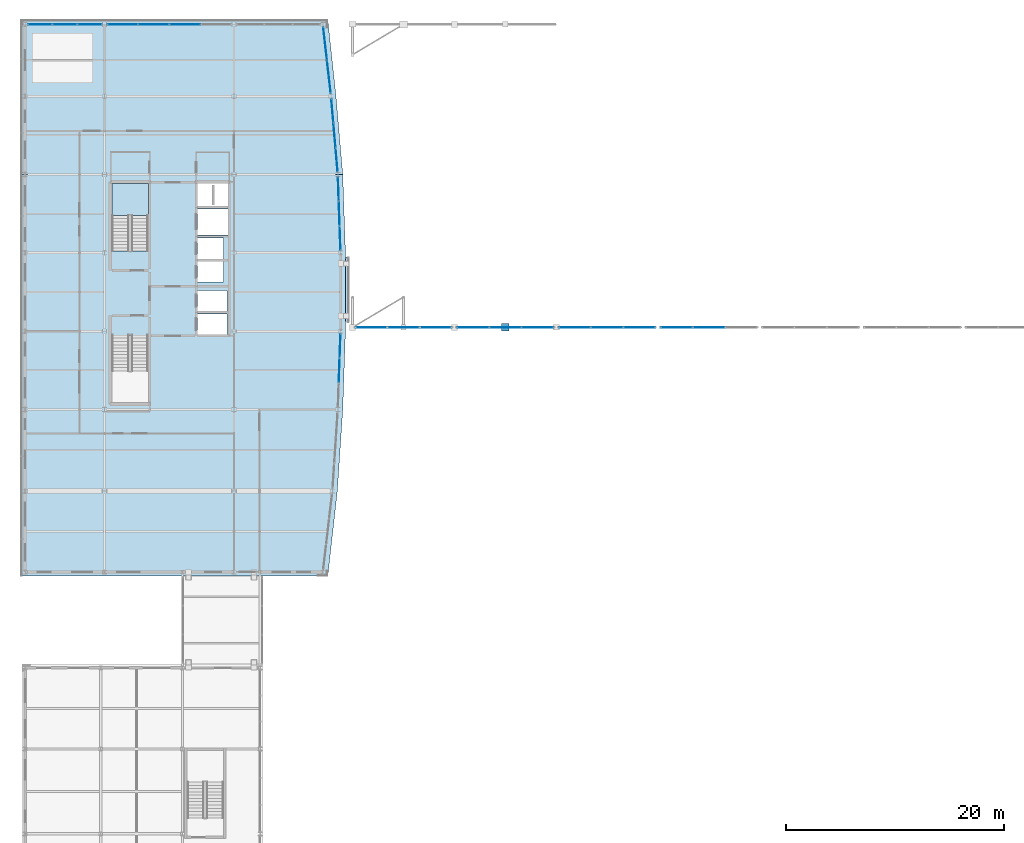
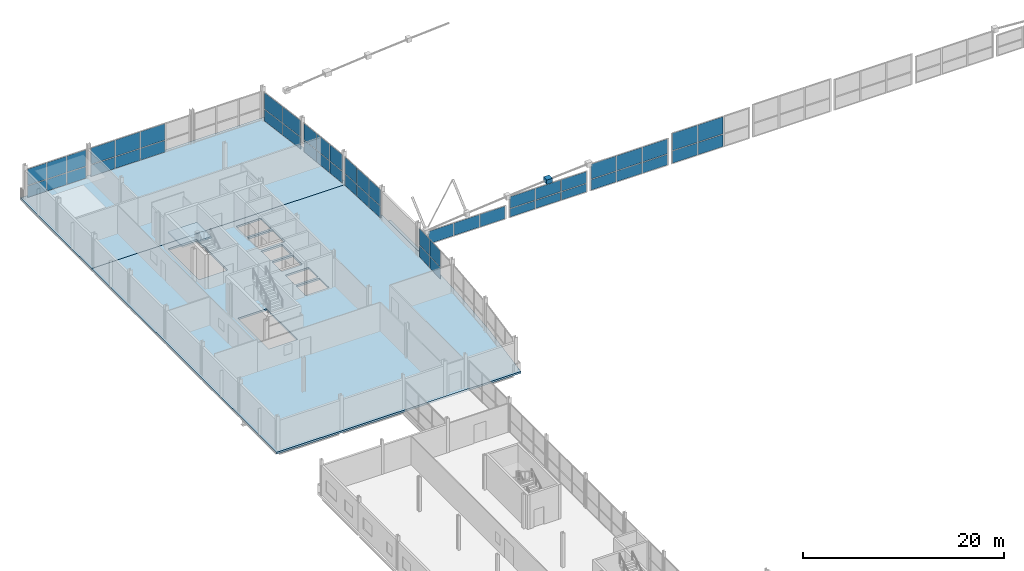
# One storey, part 43 of 60: 52 plates, 4 slabs, 11 elements without a shape of their own.
"""IFC4 building model written with IfcOpenShell, lengths in metres."""

from ifc_helpers import new_model, si_unit, direction, frame, origin, origin_2d, place, context, subcontext, project, spatial, polyline, rectangle, outline, extrude, material, layer, layer_set, type_object, element, aggregate, save


model = new_model("IFC4")

# Units and contexts
model_context = context("Model", 3, precision=1e-05, world=origin(), true_north=direction((0.0, 1.0)))
body_context = subcontext(model_context, "Body", "Model", "MODEL_VIEW")
ifc_project = project(units=[si_unit("LENGTHUNIT", "METRE"), si_unit("AREAUNIT", "SQUARE_METRE"), si_unit("VOLUMEUNIT", "CUBIC_METRE"), si_unit("PLANEANGLEUNIT", "RADIAN"), si_unit("MASSUNIT", "GRAM", prefix="KILO")], contexts=[model_context])

# Site, building, storey
site_placement = place(None, origin())
site = spatial("IfcSite", under=ifc_project, at=site_placement, CompositionType="ELEMENT")
building_placement = place(site_placement, origin())
building = spatial("IfcBuilding", under=site, at=building_placement, Name="Quillay Park Conservatory", CompositionType="ELEMENT")
storey_placement = place(building_placement, frame((0.0, 0.0, 9.89990234375)))
storey = spatial("IfcBuildingStorey", under=building, at=storey_placement, Name="L02", CompositionType="ELEMENT", Elevation=9.89990234375)

# Plate
ifc_material_1 = material(Name="Steel S355J2H", Category="steel")
ifc_layer_1 = layer(ifc_material_1, 0.0439453125)
ifc_layer_set_1 = layer_set([ifc_layer_1], Name="BOLTED GUSSET NODE PLATE GN04 (Steel S355J2H)")
plate_type_1 = type_object("IfcPlateType", Name="BOLTED GUSSET NODE PLATE GN04", PredefinedType="USERDEFINED", material=ifc_layer_set_1)
plate_1_placement = place(storey_placement, frame((44.683349609375, 85.550048828125, 3.508544921875), z_axis=(0.0, 0.0, 1.0), x_axis=(1.0, 0.0, 0.0)))
element("IfcPlate", 1, at=plate_1_placement, inside=storey, type_object=plate_type_1, Name="Conservatory gridshell star node GN04 (3,0)", ObjectType="GUSSET PLATE", PredefinedType="USERDEFINED", context=body_context, shape_type="SweptSolid", body=[
    extrude(rectangle(XDim=0.679931640625, YDim=0.679931640625, at=origin_2d()), origin(), (0.0, 0.0, 1.0), 0.5400390625),
])

# Curtain wall, plates
ifc_material_2 = material(Name="Thermally Broken Anodised Aluminium 6063-T6", Category="aluminium")
ifc_layer_2 = layer(ifc_material_2, 0.179931640625)
ifc_layer_set_2 = layer_set([ifc_layer_2], Name="UNITISED CURTAIN WALL TOWER (Thermally Broken Anodised Aluminium 6063-T6)")
curtain_wall_type_1 = type_object("IfcCurtainWallType", Name="UNITISED CURTAIN WALL TOWER", PredefinedType="USERDEFINED", material=ifc_layer_set_2)
curtain_wall_1_placement = place(storey_placement, origin())
curtain_wall_1 = element("IfcCurtainWall", 2, at=curtain_wall_1_placement, inside=storey, type_object=curtain_wall_type_1, Name="L02 Unitised Curtain Wall 021", ObjectType="UNITISED CURTAIN WALL", PredefinedType="USERDEFINED")
ifc_material_3 = material(Name="Low-E Double Glazing (Laminated Tempered)", Category="glass")
ifc_layer_3 = layer(ifc_material_3, 0.028076171875)
ifc_layer_set_3 = layer_set([ifc_layer_3], Name="CURTAIN WALL GLAZED PANEL 28 (Low-E Double Glazing (Laminated Tempered))")
plate_type_2 = type_object("IfcPlateType", Name="CURTAIN WALL GLAZED PANEL 28", PredefinedType="CURTAIN_PANEL", material=ifc_layer_set_3)
plate_2_placement = place(storey_placement, frame((29.503173828125, 83.849365234375, 0.0703125), z_axis=(0.0, 0.0, 1.0), x_axis=(-0.034713338537, -0.999397310446, 0.0)))
plate_2 = element("IfcPlate", 3, at=plate_2_placement, type_object=plate_type_2, Name="CW-T1 panel 1.1", PredefinedType="CURTAIN_PANEL", context=body_context, shape_type="SweptSolid", body=[
    extrude(rectangle(XDim=2.1630859375, YDim=0.028076171875, at=origin_2d()), origin(), (0.0, 0.0, 1.0), 1.406494140625),
])
plate_3_placement = place(storey_placement, frame((29.503173828125, 83.849365234375, 1.546630859375), z_axis=(0.0, 0.0, 1.0), x_axis=(-0.034713338537, -0.999397310446, 0.0)))
plate_3 = element("IfcPlate", 4, at=plate_3_placement, type_object=plate_type_2, Name="CW-T1 panel 1.2", PredefinedType="CURTAIN_PANEL", context=body_context, shape_type="SweptSolid", body=[
    extrude(rectangle(XDim=2.1630859375, YDim=0.028076171875, at=origin_2d()), origin(), (0.0, 0.0, 1.0), 1.982421875),
])
plate_4_placement = place(storey_placement, frame((29.425048828125, 81.60009765625, 0.0703125), z_axis=(0.0, 0.0, 1.0), x_axis=(-0.034713338537, -0.999397310446, 0.0)))
plate_4 = element("IfcPlate", 5, at=plate_4_placement, type_object=plate_type_2, Name="CW-T1 panel 2.1", PredefinedType="CURTAIN_PANEL", context=body_context, shape_type="SweptSolid", body=[
    extrude(rectangle(XDim=2.197998046875, YDim=0.028076171875, at=origin_2d()), origin(), (0.0, 0.0, 1.0), 1.406494140625),
])
plate_5_placement = place(storey_placement, frame((29.425048828125, 81.60009765625, 1.546630859375), z_axis=(0.0, 0.0, 1.0), x_axis=(-0.034713338537, -0.999397310446, 0.0)))
plate_5 = element("IfcPlate", 6, at=plate_5_placement, type_object=plate_type_2, Name="CW-T1 panel 2.2", PredefinedType="CURTAIN_PANEL", context=body_context, shape_type="SweptSolid", body=[
    extrude(rectangle(XDim=2.197998046875, YDim=0.028076171875, at=origin_2d()), origin(), (0.0, 0.0, 1.0), 1.982421875),
])
aggregate(curtain_wall_1, [plate_2, plate_3, plate_4, plate_5])

curtain_wall_2_placement = place(storey_placement, origin())
curtain_wall_2 = element("IfcCurtainWall", 7, at=curtain_wall_2_placement, inside=storey, type_object=curtain_wall_type_1, Name="L02 Unitised Curtain Wall 022", ObjectType="UNITISED CURTAIN WALL", PredefinedType="USERDEFINED")
plate_6_placement = place(storey_placement, frame((29.346923828125, 98.249267578125, 0.0703125), z_axis=(0.0, 0.0, 1.0), x_axis=(0.034713338537, -0.999397310446, 0.0)))
plate_6 = element("IfcPlate", 8, at=plate_6_placement, type_object=plate_type_2, Name="CW-T1 panel 1.1", PredefinedType="CURTAIN_PANEL", context=body_context, shape_type="SweptSolid", body=[
    extrude(rectangle(XDim=2.1630859375, YDim=0.028076171875, at=origin_2d()), origin(), (0.0, 0.0, 1.0), 1.406494140625),
])
plate_7_placement = place(storey_placement, frame((29.346923828125, 98.249267578125, 1.546630859375), z_axis=(0.0, 0.0, 1.0), x_axis=(0.034713338537, -0.999397310446, 0.0)))
plate_7 = element("IfcPlate", 9, at=plate_7_placement, type_object=plate_type_2, Name="CW-T1 panel 1.2", PredefinedType="CURTAIN_PANEL", context=body_context, shape_type="SweptSolid", body=[
    extrude(rectangle(XDim=2.1630859375, YDim=0.028076171875, at=origin_2d()), origin(), (0.0, 0.0, 1.0), 1.982421875),
])
plate_8_placement = place(storey_placement, frame((29.425048828125, 96.0, 0.0703125), z_axis=(0.0, 0.0, 1.0), x_axis=(0.034713338537, -0.999397310446, 0.0)))
plate_8 = element("IfcPlate", 10, at=plate_8_placement, type_object=plate_type_2, Name="CW-T1 panel 2.1", PredefinedType="CURTAIN_PANEL", context=body_context, shape_type="SweptSolid", body=[
    extrude(rectangle(XDim=2.197998046875, YDim=0.028076171875, at=origin_2d()), origin(), (0.0, 0.0, 1.0), 1.406494140625),
])
plate_9_placement = place(storey_placement, frame((29.425048828125, 96.0, 1.546630859375), z_axis=(0.0, 0.0, 1.0), x_axis=(0.034713338537, -0.999397310446, 0.0)))
plate_9 = element("IfcPlate", 11, at=plate_9_placement, type_object=plate_type_2, Name="CW-T1 panel 2.2", PredefinedType="CURTAIN_PANEL", context=body_context, shape_type="SweptSolid", body=[
    extrude(rectangle(XDim=2.197998046875, YDim=0.028076171875, at=origin_2d()), origin(), (0.0, 0.0, 1.0), 1.982421875),
])
plate_10_placement = place(storey_placement, frame((29.503173828125, 93.750732421875, 0.0703125), z_axis=(0.0, 0.0, 1.0), x_axis=(0.034713338537, -0.999397310446, 0.0)))
plate_10 = element("IfcPlate", 12, at=plate_10_placement, type_object=plate_type_2, Name="CW-T1 panel 3.1", PredefinedType="CURTAIN_PANEL", context=body_context, shape_type="SweptSolid", body=[
    extrude(rectangle(XDim=2.1630859375, YDim=0.028076171875, at=origin_2d()), origin(), (0.0, 0.0, 1.0), 1.406494140625),
])
plate_11_placement = place(storey_placement, frame((29.503173828125, 93.750732421875, 1.546630859375), z_axis=(0.0, 0.0, 1.0), x_axis=(0.034713338537, -0.999397310446, 0.0)))
plate_11 = element("IfcPlate", 13, at=plate_11_placement, type_object=plate_type_2, Name="CW-T1 panel 3.2", PredefinedType="CURTAIN_PANEL", context=body_context, shape_type="SweptSolid", body=[
    extrude(rectangle(XDim=2.1630859375, YDim=0.028076171875, at=origin_2d()), origin(), (0.0, 0.0, 1.0), 1.982421875),
])
aggregate(curtain_wall_2, [plate_6, plate_7, plate_8, plate_9, plate_10, plate_11])

curtain_wall_3_placement = place(storey_placement, origin())
curtain_wall_3 = element("IfcCurtainWall", 14, at=curtain_wall_3_placement, inside=storey, type_object=curtain_wall_type_1, Name="L02 Unitised Curtain Wall 023", ObjectType="UNITISED CURTAIN WALL", PredefinedType="USERDEFINED")
plate_12_placement = place(storey_placement, frame((28.792236328125, 105.44970703125, 0.0703125), z_axis=(0.0, 0.0, 1.0), x_axis=(0.086480444465, -0.996253548413, 0.0)))
plate_12 = element("IfcPlate", 15, at=plate_12_placement, type_object=plate_type_2, Name="CW-T1 panel 1.1", PredefinedType="CURTAIN_PANEL", context=body_context, shape_type="SweptSolid", body=[
    extrude(rectangle(XDim=2.170654296875, YDim=0.028076171875, at=origin_2d()), origin(), (0.0, 0.0, 1.0), 1.406494140625),
])
plate_13_placement = place(storey_placement, frame((28.792236328125, 105.44970703125, 1.546630859375), z_axis=(0.0, 0.0, 1.0), x_axis=(0.086480444465, -0.996253548413, 0.0)))
plate_13 = element("IfcPlate", 16, at=plate_13_placement, type_object=plate_type_2, Name="CW-T1 panel 1.2", PredefinedType="CURTAIN_PANEL", context=body_context, shape_type="SweptSolid", body=[
    extrude(rectangle(XDim=2.170654296875, YDim=0.028076171875, at=origin_2d()), origin(), (0.0, 0.0, 1.0), 1.982421875),
])
plate_14_placement = place(storey_placement, frame((28.987548828125, 103.199951171875, 0.0703125), z_axis=(0.0, 0.0, 1.0), x_axis=(0.086480444465, -0.996253548413, 0.0)))
plate_14 = element("IfcPlate", 17, at=plate_14_placement, type_object=plate_type_2, Name="CW-T1 panel 2.1", PredefinedType="CURTAIN_PANEL", context=body_context, shape_type="SweptSolid", body=[
    extrude(rectangle(XDim=2.20556640625, YDim=0.028076171875, at=origin_2d()), origin(), (0.0, 0.0, 1.0), 1.406494140625),
])
plate_15_placement = place(storey_placement, frame((28.987548828125, 103.199951171875, 1.546630859375), z_axis=(0.0, 0.0, 1.0), x_axis=(0.086480444465, -0.996253548413, 0.0)))
plate_15 = element("IfcPlate", 18, at=plate_15_placement, type_object=plate_type_2, Name="CW-T1 panel 2.2", PredefinedType="CURTAIN_PANEL", context=body_context, shape_type="SweptSolid", body=[
    extrude(rectangle(XDim=2.20556640625, YDim=0.028076171875, at=origin_2d()), origin(), (0.0, 0.0, 1.0), 1.982421875),
])
plate_16_placement = place(storey_placement, frame((29.182861328125, 100.9501953125, 0.0703125), z_axis=(0.0, 0.0, 1.0), x_axis=(0.086480444465, -0.996253548413, 0.0)))
plate_16 = element("IfcPlate", 19, at=plate_16_placement, type_object=plate_type_2, Name="CW-T1 panel 3.1", PredefinedType="CURTAIN_PANEL", context=body_context, shape_type="SweptSolid", body=[
    extrude(rectangle(XDim=2.170654296875, YDim=0.028076171875, at=origin_2d()), origin(), (0.0, 0.0, 1.0), 1.406494140625),
])
plate_17_placement = place(storey_placement, frame((29.182861328125, 100.9501953125, 1.546630859375), z_axis=(0.0, 0.0, 1.0), x_axis=(0.086480444465, -0.996253548413, 0.0)))
plate_17 = element("IfcPlate", 20, at=plate_17_placement, type_object=plate_type_2, Name="CW-T1 panel 3.2", PredefinedType="CURTAIN_PANEL", context=body_context, shape_type="SweptSolid", body=[
    extrude(rectangle(XDim=2.170654296875, YDim=0.028076171875, at=origin_2d()), origin(), (0.0, 0.0, 1.0), 1.982421875),
])
aggregate(curtain_wall_3, [plate_12, plate_13, plate_14, plate_15, plate_16, plate_17])

curtain_wall_4_placement = place(storey_placement, origin())
curtain_wall_4 = element("IfcCurtainWall", 21, at=curtain_wall_4_placement, inside=storey, type_object=curtain_wall_type_1, Name="L02 Unitised Curtain Wall 024", ObjectType="UNITISED CURTAIN WALL", PredefinedType="USERDEFINED")
plate_18_placement = place(storey_placement, frame((28.125732421875, 111.63330078125, 0.0703125), z_axis=(0.0, 0.0, 1.0), x_axis=(0.112903218278, -0.993605989969, 0.0)))
plate_18 = element("IfcPlate", 22, at=plate_18_placement, type_object=plate_type_2, Name="CW-T1 panel 1.1", PredefinedType="CURTAIN_PANEL", context=body_context, shape_type="SweptSolid", body=[
    extrude(rectangle(XDim=3.016357421875, YDim=0.028076171875, at=origin_2d()), origin(), (0.0, 0.0, 1.0), 1.406494140625),
])
plate_19_placement = place(storey_placement, frame((28.125732421875, 111.63330078125, 1.546630859375), z_axis=(0.0, 0.0, 1.0), x_axis=(0.112903218278, -0.993605989969, 0.0)))
plate_19 = element("IfcPlate", 23, at=plate_19_placement, type_object=plate_type_2, Name="CW-T1 panel 1.2", PredefinedType="CURTAIN_PANEL", context=body_context, shape_type="SweptSolid", body=[
    extrude(rectangle(XDim=3.016357421875, YDim=0.028076171875, at=origin_2d()), origin(), (0.0, 0.0, 1.0), 1.982421875),
])
plate_20_placement = place(storey_placement, frame((28.47412109375, 108.566650390625, 0.0703125), z_axis=(0.0, 0.0, 1.0), x_axis=(0.112903218278, -0.993605989969, 0.0)))
plate_20 = element("IfcPlate", 24, at=plate_20_placement, type_object=plate_type_2, Name="CW-T1 panel 2.1", PredefinedType="CURTAIN_PANEL", context=body_context, shape_type="SweptSolid", body=[
    extrude(rectangle(XDim=3.016357421875, YDim=0.028076171875, at=origin_2d()), origin(), (0.0, 0.0, 1.0), 1.406494140625),
])
plate_21_placement = place(storey_placement, frame((28.47412109375, 108.566650390625, 1.546630859375), z_axis=(0.0, 0.0, 1.0), x_axis=(0.112903218278, -0.993605989969, 0.0)))
plate_21 = element("IfcPlate", 25, at=plate_21_placement, type_object=plate_type_2, Name="CW-T1 panel 2.2", PredefinedType="CURTAIN_PANEL", context=body_context, shape_type="SweptSolid", body=[
    extrude(rectangle(XDim=3.016357421875, YDim=0.028076171875, at=origin_2d()), origin(), (0.0, 0.0, 1.0), 1.982421875),
])
aggregate(curtain_wall_4, [plate_18, plate_19, plate_20, plate_21])

curtain_wall_5_placement = place(storey_placement, origin())
curtain_wall_5 = element("IfcCurtainWall", 26, at=curtain_wall_5_placement, inside=storey, type_object=curtain_wall_type_1, Name="L02 Unitised Curtain Wall 025", ObjectType="UNITISED CURTAIN WALL", PredefinedType="USERDEFINED")
plate_22_placement = place(storey_placement, frame((1.91748046875, 113.39990234375, 0.0703125), z_axis=(0.0, 0.0, 1.0), x_axis=(1.0, 0.0, 0.0)))
plate_22 = element("IfcPlate", 27, at=plate_22_placement, type_object=plate_type_2, Name="CW-T1 panel 1.1", PredefinedType="CURTAIN_PANEL", context=body_context, shape_type="SweptSolid", body=[
    extrude(rectangle(XDim=2.195068359375, YDim=0.028076171875, at=origin_2d()), origin(), (0.0, 0.0, 1.0), 1.406494140625),
])
plate_23_placement = place(storey_placement, frame((1.91748046875, 113.39990234375, 1.546630859375), z_axis=(0.0, 0.0, 1.0), x_axis=(1.0, 0.0, 0.0)))
plate_23 = element("IfcPlate", 28, at=plate_23_placement, type_object=plate_type_2, Name="CW-T1 panel 1.2", PredefinedType="CURTAIN_PANEL", context=body_context, shape_type="SweptSolid", body=[
    extrude(rectangle(XDim=2.195068359375, YDim=0.028076171875, at=origin_2d()), origin(), (0.0, 0.0, 1.0), 1.982421875),
])
plate_24_placement = place(storey_placement, frame((4.199951171875, 113.39990234375, 0.0703125), z_axis=(0.0, 0.0, 1.0), x_axis=(1.0, 0.0, 0.0)))
plate_24 = element("IfcPlate", 29, at=plate_24_placement, type_object=plate_type_2, Name="CW-T1 panel 2.1", PredefinedType="CURTAIN_PANEL", context=body_context, shape_type="SweptSolid", body=[
    extrude(rectangle(XDim=2.22998046875, YDim=0.028076171875, at=origin_2d()), origin(), (0.0, 0.0, 1.0), 1.406494140625),
])
plate_25_placement = place(storey_placement, frame((4.199951171875, 113.39990234375, 1.546630859375), z_axis=(0.0, 0.0, 1.0), x_axis=(1.0, 0.0, 0.0)))
plate_25 = element("IfcPlate", 30, at=plate_25_placement, type_object=plate_type_2, Name="CW-T1 panel 2.2", PredefinedType="CURTAIN_PANEL", context=body_context, shape_type="SweptSolid", body=[
    extrude(rectangle(XDim=2.22998046875, YDim=0.028076171875, at=origin_2d()), origin(), (0.0, 0.0, 1.0), 1.982421875),
])
plate_26_placement = place(storey_placement, frame((6.482421875, 113.39990234375, 0.0703125), z_axis=(0.0, 0.0, 1.0), x_axis=(1.0, 0.0, 0.0)))
plate_26 = element("IfcPlate", 31, at=plate_26_placement, type_object=plate_type_2, Name="CW-T1 panel 3.1", PredefinedType="CURTAIN_PANEL", context=body_context, shape_type="SweptSolid", body=[
    extrude(rectangle(XDim=2.195068359375, YDim=0.028076171875, at=origin_2d()), origin(), (0.0, 0.0, 1.0), 1.406494140625),
])
plate_27_placement = place(storey_placement, frame((6.482421875, 113.39990234375, 1.546630859375), z_axis=(0.0, 0.0, 1.0), x_axis=(1.0, 0.0, 0.0)))
plate_27 = element("IfcPlate", 32, at=plate_27_placement, type_object=plate_type_2, Name="CW-T1 panel 3.2", PredefinedType="CURTAIN_PANEL", context=body_context, shape_type="SweptSolid", body=[
    extrude(rectangle(XDim=2.195068359375, YDim=0.028076171875, at=origin_2d()), origin(), (0.0, 0.0, 1.0), 1.982421875),
])
aggregate(curtain_wall_5, [plate_22, plate_23, plate_24, plate_25, plate_26, plate_27])

curtain_wall_6_placement = place(storey_placement, origin())
curtain_wall_6 = element("IfcCurtainWall", 33, at=curtain_wall_6_placement, inside=storey, type_object=curtain_wall_type_1, Name="L02 Unitised Curtain Wall 026", ObjectType="UNITISED CURTAIN WALL", PredefinedType="USERDEFINED")
plate_28_placement = place(storey_placement, frame((9.5048828125, 113.39990234375, 0.0703125), z_axis=(0.0, 0.0, 1.0), x_axis=(1.0, 0.0, 0.0)))
plate_28 = element("IfcPlate", 34, at=plate_28_placement, type_object=plate_type_2, Name="CW-T1 panel 1.1", PredefinedType="CURTAIN_PANEL", context=body_context, shape_type="SweptSolid", body=[
    extrude(rectangle(XDim=2.77001953125, YDim=0.028076171875, at=origin_2d()), origin(), (0.0, 0.0, 1.0), 1.406494140625),
])
plate_29_placement = place(storey_placement, frame((9.5048828125, 113.39990234375, 1.546630859375), z_axis=(0.0, 0.0, 1.0), x_axis=(1.0, 0.0, 0.0)))
plate_29 = element("IfcPlate", 35, at=plate_29_placement, type_object=plate_type_2, Name="CW-T1 panel 1.2", PredefinedType="CURTAIN_PANEL", context=body_context, shape_type="SweptSolid", body=[
    extrude(rectangle(XDim=2.77001953125, YDim=0.028076171875, at=origin_2d()), origin(), (0.0, 0.0, 1.0), 1.982421875),
])
plate_30_placement = place(storey_placement, frame((12.362548828125, 113.39990234375, 0.0703125), z_axis=(0.0, 0.0, 1.0), x_axis=(1.0, 0.0, 0.0)))
plate_30 = element("IfcPlate", 36, at=plate_30_placement, type_object=plate_type_2, Name="CW-T1 panel 2.1", PredefinedType="CURTAIN_PANEL", context=body_context, shape_type="SweptSolid", body=[
    extrude(rectangle(XDim=2.804931640625, YDim=0.028076171875, at=origin_2d()), origin(), (0.0, 0.0, 1.0), 1.406494140625),
])
plate_31_placement = place(storey_placement, frame((12.362548828125, 113.39990234375, 1.546630859375), z_axis=(0.0, 0.0, 1.0), x_axis=(1.0, 0.0, 0.0)))
plate_31 = element("IfcPlate", 37, at=plate_31_placement, type_object=plate_type_2, Name="CW-T1 panel 2.2", PredefinedType="CURTAIN_PANEL", context=body_context, shape_type="SweptSolid", body=[
    extrude(rectangle(XDim=2.804931640625, YDim=0.028076171875, at=origin_2d()), origin(), (0.0, 0.0, 1.0), 1.982421875),
])
plate_32_placement = place(storey_placement, frame((15.237548828125, 113.39990234375, 0.0703125), z_axis=(0.0, 0.0, 1.0), x_axis=(1.0, 0.0, 0.0)))
plate_32 = element("IfcPlate", 38, at=plate_32_placement, type_object=plate_type_2, Name="CW-T1 panel 3.1", PredefinedType="CURTAIN_PANEL", context=body_context, shape_type="SweptSolid", body=[
    extrude(rectangle(XDim=2.804931640625, YDim=0.028076171875, at=origin_2d()), origin(), (0.0, 0.0, 1.0), 1.406494140625),
])
plate_33_placement = place(storey_placement, frame((15.237548828125, 113.39990234375, 1.546630859375), z_axis=(0.0, 0.0, 1.0), x_axis=(1.0, 0.0, 0.0)))
plate_33 = element("IfcPlate", 39, at=plate_33_placement, type_object=plate_type_2, Name="CW-T1 panel 3.2", PredefinedType="CURTAIN_PANEL", context=body_context, shape_type="SweptSolid", body=[
    extrude(rectangle(XDim=2.804931640625, YDim=0.028076171875, at=origin_2d()), origin(), (0.0, 0.0, 1.0), 1.982421875),
])
aggregate(curtain_wall_6, [plate_28, plate_29, plate_30, plate_31, plate_32, plate_33])

ifc_material_4 = material(Name="Thermally Broken Anodised Aluminium 6063-T6", Category="aluminium")
ifc_layer_4 = layer(ifc_material_4, 0.219970703125)
ifc_layer_set_4 = layer_set([ifc_layer_4], Name="UNITISED CURTAIN WALL CONSERVATORY (Thermally Broken Anodised Aluminium 6063-T6)")
curtain_wall_type_2 = type_object("IfcCurtainWallType", Name="UNITISED CURTAIN WALL CONSERVATORY", PredefinedType="USERDEFINED", material=ifc_layer_set_4)
curtain_wall_7_placement = place(storey_placement, origin())
curtain_wall_7 = element("IfcCurtainWall", 40, at=curtain_wall_7_placement, inside=storey, type_object=curtain_wall_type_2, Name="L02 Unitised Curtain Wall 187", ObjectType="UNITISED CURTAIN WALL", PredefinedType="USERDEFINED")
ifc_material_5 = material(Name="Low-Iron Laminated Insulated Glazing", Category="glass")
ifc_layer_5 = layer(ifc_material_5, 0.031982421875)
ifc_layer_set_5 = layer_set([ifc_layer_5], Name="CURTAIN WALL GLAZED PANEL 32 (Low-Iron Laminated Insulated Glazing)")
plate_type_3 = type_object("IfcPlateType", Name="CURTAIN WALL GLAZED PANEL 32", PredefinedType="CURTAIN_PANEL", material=ifc_layer_set_5)
plate_34_placement = place(storey_placement, frame((38.294189453125, 85.550048828125, 0.77001953125), z_axis=(0.0, 0.0, 1.0), x_axis=(-1.0, 0.0, 0.0)))
plate_34 = element("IfcPlate", 41, at=plate_34_placement, type_object=plate_type_3, Name="CW-C1 panel 1.1", PredefinedType="CURTAIN_PANEL", context=body_context, shape_type="SweptSolid", body=[
    extrude(rectangle(XDim=2.87890625, YDim=0.031982421875, at=origin_2d()), origin(), (0.0, 0.0, 1.0), 1.52587890625),
])
plate_35_placement = place(storey_placement, frame((35.327880859375, 85.550048828125, 0.77001953125), z_axis=(0.0, 0.0, 1.0), x_axis=(-1.0, 0.0, 0.0)))
plate_35 = element("IfcPlate", 42, at=plate_35_placement, type_object=plate_type_3, Name="CW-C1 panel 2.1", PredefinedType="CURTAIN_PANEL", context=body_context, shape_type="SweptSolid", body=[
    extrude(rectangle(XDim=2.913818359375, YDim=0.031982421875, at=origin_2d()), origin(), (0.0, 0.0, 1.0), 1.52587890625),
])
plate_36_placement = place(storey_placement, frame((32.361328125, 85.550048828125, 0.77001953125), z_axis=(0.0, 0.0, 1.0), x_axis=(-1.0, 0.0, 0.0)))
plate_36 = element("IfcPlate", 43, at=plate_36_placement, type_object=plate_type_3, Name="CW-C1 panel 3.1", PredefinedType="CURTAIN_PANEL", context=body_context, shape_type="SweptSolid", body=[
    extrude(rectangle(XDim=2.87890625, YDim=0.031982421875, at=origin_2d()), origin(), (0.0, 0.0, 1.0), 1.52587890625),
])
aggregate(curtain_wall_7, [plate_34, plate_35, plate_36])

curtain_wall_8_placement = place(storey_placement, origin())
curtain_wall_8 = element("IfcCurtainWall", 44, at=curtain_wall_8_placement, inside=storey, type_object=curtain_wall_type_2, Name="L02 Unitised Curtain Wall 188", ObjectType="UNITISED CURTAIN WALL", PredefinedType="USERDEFINED")
plate_37_placement = place(storey_placement, frame((47.649658203125, 85.550048828125, 0.77001953125), z_axis=(0.0, 0.0, 1.0), x_axis=(-1.0, 0.0, 0.0)))
plate_37 = element("IfcPlate", 45, at=plate_37_placement, type_object=plate_type_3, Name="CW-C1 panel 1.1", PredefinedType="CURTAIN_PANEL", context=body_context, shape_type="SweptSolid", body=[
    extrude(rectangle(XDim=2.87890625, YDim=0.031982421875, at=origin_2d()), origin(), (0.0, 0.0, 1.0), 0.98681640625),
])
plate_38_placement = place(storey_placement, frame((47.649658203125, 85.550048828125, 1.8271484375), z_axis=(0.0, 0.0, 1.0), x_axis=(-1.0, 0.0, 0.0)))
plate_38 = element("IfcPlate", 46, at=plate_38_placement, type_object=plate_type_3, Name="CW-C1 panel 1.2", PredefinedType="CURTAIN_PANEL", context=body_context, shape_type="SweptSolid", body=[
    extrude(rectangle(XDim=2.87890625, YDim=0.031982421875, at=origin_2d()), origin(), (0.0, 0.0, 1.0), 1.402587890625),
])
plate_39_placement = place(storey_placement, frame((44.683349609375, 85.550048828125, 0.77001953125), z_axis=(0.0, 0.0, 1.0), x_axis=(-1.0, 0.0, 0.0)))
plate_39 = element("IfcPlate", 47, at=plate_39_placement, type_object=plate_type_3, Name="CW-C1 panel 2.1", PredefinedType="CURTAIN_PANEL", context=body_context, shape_type="SweptSolid", body=[
    extrude(rectangle(XDim=2.913818359375, YDim=0.031982421875, at=origin_2d()), origin(), (0.0, 0.0, 1.0), 0.98681640625),
])
plate_40_placement = place(storey_placement, frame((44.683349609375, 85.550048828125, 1.8271484375), z_axis=(0.0, 0.0, 1.0), x_axis=(-1.0, 0.0, 0.0)))
plate_40 = element("IfcPlate", 48, at=plate_40_placement, type_object=plate_type_3, Name="CW-C1 panel 2.2", PredefinedType="CURTAIN_PANEL", context=body_context, shape_type="SweptSolid", body=[
    extrude(rectangle(XDim=2.913818359375, YDim=0.031982421875, at=origin_2d()), origin(), (0.0, 0.0, 1.0), 1.402587890625),
])
plate_41_placement = place(storey_placement, frame((41.717041015625, 85.550048828125, 0.77001953125), z_axis=(0.0, 0.0, 1.0), x_axis=(-1.0, 0.0, 0.0)))
plate_41 = element("IfcPlate", 49, at=plate_41_placement, type_object=plate_type_3, Name="CW-C1 panel 3.1", PredefinedType="CURTAIN_PANEL", context=body_context, shape_type="SweptSolid", body=[
    extrude(rectangle(XDim=2.87890625, YDim=0.031982421875, at=origin_2d()), origin(), (0.0, 0.0, 1.0), 0.98681640625),
])
plate_42_placement = place(storey_placement, frame((41.717041015625, 85.550048828125, 1.8271484375), z_axis=(0.0, 0.0, 1.0), x_axis=(-1.0, 0.0, 0.0)))
plate_42 = element("IfcPlate", 50, at=plate_42_placement, type_object=plate_type_3, Name="CW-C1 panel 3.2", PredefinedType="CURTAIN_PANEL", context=body_context, shape_type="SweptSolid", body=[
    extrude(rectangle(XDim=2.87890625, YDim=0.031982421875, at=origin_2d()), origin(), (0.0, 0.0, 1.0), 1.402587890625),
])
aggregate(curtain_wall_8, [plate_37, plate_38, plate_39, plate_40, plate_41, plate_42])

curtain_wall_9_placement = place(storey_placement, origin())
curtain_wall_9 = element("IfcCurtainWall", 51, at=curtain_wall_9_placement, inside=storey, type_object=curtain_wall_type_2, Name="L02 Unitised Curtain Wall 189", ObjectType="UNITISED CURTAIN WALL", PredefinedType="USERDEFINED")
plate_43_placement = place(storey_placement, frame((57.00537109375, 85.550048828125, 0.77001953125), z_axis=(0.0, 0.0, 1.0), x_axis=(-1.0, 0.0, 0.0)))
plate_43 = element("IfcPlate", 52, at=plate_43_placement, type_object=plate_type_3, Name="CW-C1 panel 1.1", PredefinedType="CURTAIN_PANEL", context=body_context, shape_type="SweptSolid", body=[
    extrude(rectangle(XDim=2.87890625, YDim=0.031982421875, at=origin_2d()), origin(), (0.0, 0.0, 1.0), 1.280517578125),
])
plate_44_placement = place(storey_placement, frame((57.00537109375, 85.550048828125, 2.12060546875), z_axis=(0.0, 0.0, 1.0), x_axis=(-1.0, 0.0, 0.0)))
plate_44 = element("IfcPlate", 53, at=plate_44_placement, type_object=plate_type_3, Name="CW-C1 panel 1.2", PredefinedType="CURTAIN_PANEL", context=body_context, shape_type="SweptSolid", body=[
    extrude(rectangle(XDim=2.87890625, YDim=0.031982421875, at=origin_2d()), origin(), (0.0, 0.0, 1.0), 1.80810546875),
])
plate_45_placement = place(storey_placement, frame((54.038818359375, 85.550048828125, 0.77001953125), z_axis=(0.0, 0.0, 1.0), x_axis=(-1.0, 0.0, 0.0)))
plate_45 = element("IfcPlate", 54, at=plate_45_placement, type_object=plate_type_3, Name="CW-C1 panel 2.1", PredefinedType="CURTAIN_PANEL", context=body_context, shape_type="SweptSolid", body=[
    extrude(rectangle(XDim=2.913818359375, YDim=0.031982421875, at=origin_2d()), origin(), (0.0, 0.0, 1.0), 1.280517578125),
])
plate_46_placement = place(storey_placement, frame((54.038818359375, 85.550048828125, 2.12060546875), z_axis=(0.0, 0.0, 1.0), x_axis=(-1.0, 0.0, 0.0)))
plate_46 = element("IfcPlate", 55, at=plate_46_placement, type_object=plate_type_3, Name="CW-C1 panel 2.2", PredefinedType="CURTAIN_PANEL", context=body_context, shape_type="SweptSolid", body=[
    extrude(rectangle(XDim=2.913818359375, YDim=0.031982421875, at=origin_2d()), origin(), (0.0, 0.0, 1.0), 1.80810546875),
])
plate_47_placement = place(storey_placement, frame((51.072509765625, 85.550048828125, 0.77001953125), z_axis=(0.0, 0.0, 1.0), x_axis=(-1.0, 0.0, 0.0)))
plate_47 = element("IfcPlate", 56, at=plate_47_placement, type_object=plate_type_3, Name="CW-C1 panel 3.1", PredefinedType="CURTAIN_PANEL", context=body_context, shape_type="SweptSolid", body=[
    extrude(rectangle(XDim=2.87890625, YDim=0.031982421875, at=origin_2d()), origin(), (0.0, 0.0, 1.0), 1.280517578125),
])
plate_48_placement = place(storey_placement, frame((51.072509765625, 85.550048828125, 2.12060546875), z_axis=(0.0, 0.0, 1.0), x_axis=(-1.0, 0.0, 0.0)))
plate_48 = element("IfcPlate", 57, at=plate_48_placement, type_object=plate_type_3, Name="CW-C1 panel 3.2", PredefinedType="CURTAIN_PANEL", context=body_context, shape_type="SweptSolid", body=[
    extrude(rectangle(XDim=2.87890625, YDim=0.031982421875, at=origin_2d()), origin(), (0.0, 0.0, 1.0), 1.80810546875),
])
aggregate(curtain_wall_9, [plate_43, plate_44, plate_45, plate_46, plate_47, plate_48])

curtain_wall_10_placement = place(storey_placement, origin())
curtain_wall_10 = element("IfcCurtainWall", 58, at=curtain_wall_10_placement, inside=storey, type_object=curtain_wall_type_2, Name="L02 Unitised Curtain Wall 190", ObjectType="UNITISED CURTAIN WALL", PredefinedType="USERDEFINED")
plate_49_placement = place(storey_placement, frame((63.39453125, 85.550048828125, 0.770263671875), z_axis=(0.0, 0.0, 1.0), x_axis=(-1.0, 0.0, 0.0)))
plate_49 = element("IfcPlate", 59, at=plate_49_placement, type_object=plate_type_3, Name="CW-C1 panel 2.1", PredefinedType="CURTAIN_PANEL", context=body_context, shape_type="SweptSolid", body=[
    extrude(rectangle(XDim=2.913818359375, YDim=0.031982421875, at=origin_2d()), origin(), (0.0, 0.0, 1.0), 1.4755859375),
])
plate_50_placement = place(storey_placement, frame((63.39453125, 85.550048828125, 2.31591796875), z_axis=(0.0, 0.0, 1.0), x_axis=(-1.0, 0.0, 0.0)))
plate_50 = element("IfcPlate", 60, at=plate_50_placement, type_object=plate_type_3, Name="CW-C1 panel 2.2", PredefinedType="CURTAIN_PANEL", context=body_context, shape_type="SweptSolid", body=[
    extrude(rectangle(XDim=2.913818359375, YDim=0.031982421875, at=origin_2d()), origin(), (0.0, 0.0, 1.0), 2.077880859375),
])
plate_51_placement = place(storey_placement, frame((60.42822265625, 85.550048828125, 0.770263671875), z_axis=(0.0, 0.0, 1.0), x_axis=(-1.0, 0.0, 0.0)))
plate_51 = element("IfcPlate", 61, at=plate_51_placement, type_object=plate_type_3, Name="CW-C1 panel 3.1", PredefinedType="CURTAIN_PANEL", context=body_context, shape_type="SweptSolid", body=[
    extrude(rectangle(XDim=2.87890625, YDim=0.031982421875, at=origin_2d()), origin(), (0.0, 0.0, 1.0), 1.4755859375),
])
plate_52_placement = place(storey_placement, frame((60.42822265625, 85.550048828125, 2.31591796875), z_axis=(0.0, 0.0, 1.0), x_axis=(-1.0, 0.0, 0.0)))
plate_52 = element("IfcPlate", 62, at=plate_52_placement, type_object=plate_type_3, Name="CW-C1 panel 3.2", PredefinedType="CURTAIN_PANEL", context=body_context, shape_type="SweptSolid", body=[
    extrude(rectangle(XDim=2.87890625, YDim=0.031982421875, at=origin_2d()), origin(), (0.0, 0.0, 1.0), 2.077880859375),
])
aggregate(curtain_wall_10, [plate_49, plate_50, plate_51, plate_52])

# Stair, slab
ifc_material_6 = material(Name="Concrete C35/45 (NCh170 Concrete C35/45)", Category="concrete")
stair_type = type_object("IfcStairType", Name="ENCLOSED DOG LEG STAIR 4200", PredefinedType="HALF_TURN_STAIR", material=ifc_material_6)
stair_placement = place(storey_placement, origin())
stair = element("IfcStair", 63, at=stair_placement, inside=storey, type_object=stair_type, Name="L02 Tower Protected Exit Stair 1", PredefinedType="HALF_TURN_STAIR")
ifc_material_7 = material(Name="Concrete C35/45 (NCh170 Concrete C35/45)", Category="concrete")
ifc_layer_6 = layer(ifc_material_7, 0.199951171875)
ifc_layer_set_6 = layer_set([ifc_layer_6], Name="STAIR LANDING SLAB 200 (Concrete C35/45 (NCh170 Concrete C35/45))")
slab_type_1 = type_object("IfcSlabType", Name="STAIR LANDING SLAB 200", PredefinedType="LANDING", material=ifc_layer_set_6)
slab_1_placement = place(storey_placement, frame((0.0, 0.0, 1.900146484375)))
slab_1 = element("IfcSlab", 64, at=slab_1_placement, type_object=slab_type_1, Name="ST-T1 landing 1", PredefinedType="LANDING", context=body_context, shape_type="SweptSolid", body=[
    extrude(outline(polyline([(11.8701171875, 95.85009765625), (11.8701171875, 98.75), (8.550048828125, 98.75), (8.550048828125, 95.85009765625), (11.8701171875, 95.85009765625)])), origin(), (0.0, 0.0, 1.0), 0.199951171875),
])
aggregate(stair, [slab_1])

# Slabs
ifc_material_8 = material(Name="Concrete C35/45 (NCh170 Concrete C35/45)", Category="concrete")
ifc_layer_7 = layer(ifc_material_8, 0.199951171875)
ifc_layer_set_7 = layer_set([ifc_layer_7], Name="SUSPENDED FLOOR SLAB 200 (Concrete C35/45 (NCh170 Concrete C35/45))")
slab_type_2 = type_object("IfcSlabType", Name="SUSPENDED FLOOR SLAB 200", PredefinedType="FLOOR", material=ifc_layer_set_7)
slab_2_placement = place(storey_placement, frame((0.0, 0.0, -0.199951171875)))
element("IfcSlab", 65, at=slab_2_placement, inside=storey, type_object=slab_type_2, Name="L02 Seismic Link Bridge LB-2 Threshold Slab", PredefinedType="FLOOR", context=body_context, shape_type="SweptSolid", body=[
    extrude(outline(polyline([(30.0, 86.0), (30.300048828125, 86.0), (30.300048828125, 92.0), (30.0, 92.0), (30.0, 86.0)])), origin(), (0.0, 0.0, 1.0), 0.199951171875),
])
ifc_material_9 = material(Name="Concrete C35/45 (NCh170 Concrete C35/45)", Category="concrete")
ifc_layer_8 = layer(ifc_material_9, 0.22998046875)
ifc_layer_set_8 = layer_set([ifc_layer_8], Name="SUSPENDED FLOOR SLAB 230 (Concrete C35/45 (NCh170 Concrete C35/45))")
slab_type_3 = type_object("IfcSlabType", Name="SUSPENDED FLOOR SLAB 230", PredefinedType="FLOOR", material=ifc_layer_set_8)
slab_3_placement = place(storey_placement, frame((0.0, 0.0, -0.22998046875)))
element("IfcSlab", 66, at=slab_3_placement, inside=storey, type_object=slab_type_3, Name="L02 Research Tower South Chord Plate", PredefinedType="FLOOR", context=body_context, shape_type="SweptSolid", body=[
    extrude(outline(polyline([(0.25, 62.699951171875), (28.375, 62.699951171875), (29.25, 70.5), (29.75, 78.0), (30.0, 85.199951171875), (30.0, 92.39990234375), (29.75, 99.60009765625), (0.25, 99.60009765625), (0.25, 62.699951171875)]), holes=[polyline([(8.550048828125, 92.580078125), (11.8701171875, 92.580078125), (11.8701171875, 98.75), (8.550048828125, 98.75), (8.550048828125, 92.580078125)]), polyline([(8.550048828125, 78.64990234375), (11.8701171875, 78.64990234375), (11.8701171875, 84.820068359375), (8.550048828125, 84.820068359375), (8.550048828125, 78.64990234375)]), polyline([(16.39990234375, 84.89990234375), (19.10009765625, 84.89990234375), (19.10009765625, 86.800048828125), (16.39990234375, 86.800048828125), (16.39990234375, 84.89990234375)]), polyline([(16.39990234375, 87.050048828125), (19.10009765625, 87.050048828125), (19.10009765625, 88.949951171875), (16.39990234375, 88.949951171875), (16.39990234375, 87.050048828125)]), polyline([(16.39990234375, 89.699951171875), (18.800048828125, 89.699951171875), (18.800048828125, 91.60009765625), (16.39990234375, 91.60009765625), (16.39990234375, 89.699951171875)]), polyline([(16.39990234375, 91.85009765625), (18.800048828125, 91.85009765625), (18.800048828125, 93.75), (16.39990234375, 93.75), (16.39990234375, 91.85009765625)]), polyline([(16.39990234375, 94.050048828125), (19.300048828125, 94.050048828125), (19.300048828125, 96.449951171875), (16.39990234375, 96.449951171875), (16.39990234375, 94.050048828125)]), polyline([(16.39990234375, 96.699951171875), (19.300048828125, 96.699951171875), (19.300048828125, 98.75), (16.39990234375, 98.75), (16.39990234375, 96.699951171875)])]), origin(), (0.0, 0.0, 1.0), 0.22998046875),
])
slab_4_placement = place(storey_placement, frame((0.0, 0.0, -0.22998046875)))
element("IfcSlab", 67, at=slab_4_placement, inside=storey, type_object=slab_type_3, Name="L02 Research Tower North Chord Plate", PredefinedType="FLOOR", context=body_context, shape_type="SweptSolid", body=[
    extrude(outline(polyline([(0.25, 99.60009765625), (29.75, 99.60009765625), (29.125, 106.800048828125), (28.375, 113.800048828125), (0.25, 113.800048828125), (0.25, 99.60009765625)])), origin(), (0.0, 0.0, 1.0), 0.22998046875),
])

save(model, "model.ifc")
